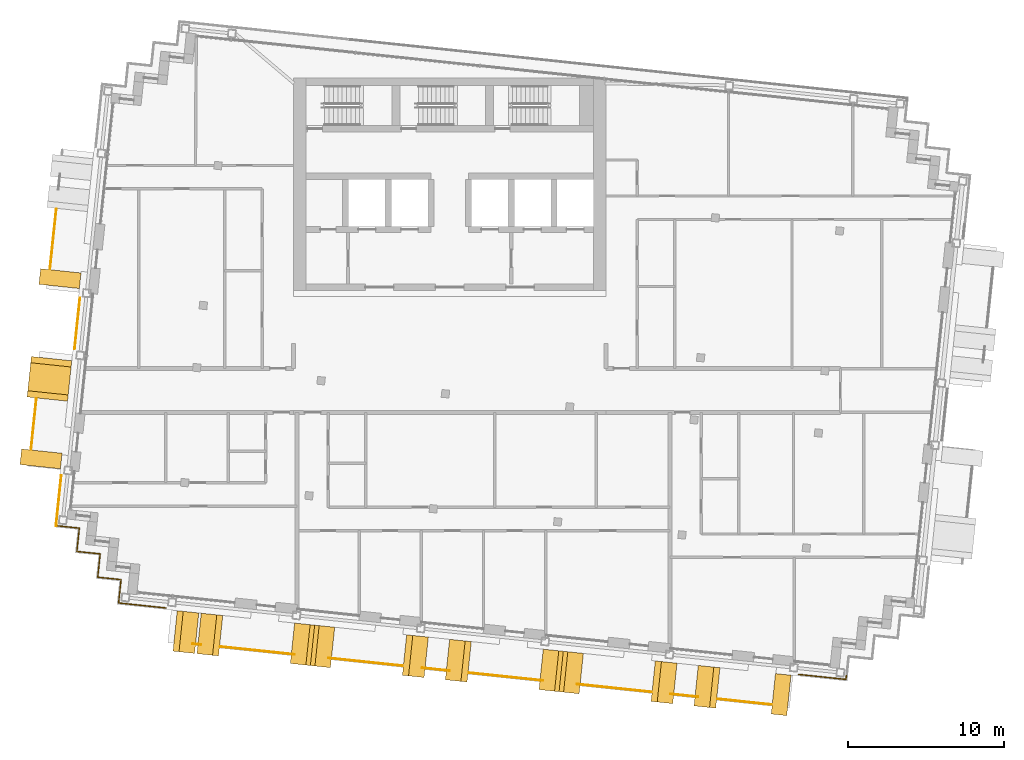
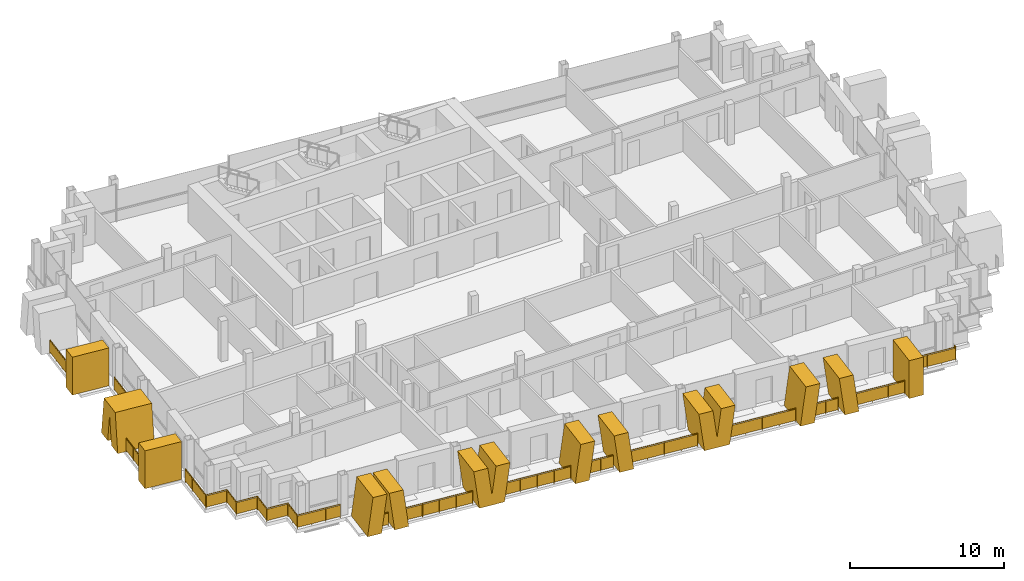
# One storey, part 13 of 16: 14 railings, 12 shading devices.
"""IFC4 building model written with IfcOpenShell, lengths in metres."""

from ifc_helpers import new_model, si_unit, direction, frame, origin, origin_2d, place, context, subcontext, project, spatial, polyline, rectangle, circle, outline, extrude, material, layer, layer_set, type_object, element, save


model = new_model("IFC4")

# Units and contexts
model_context = context("Model", 3, precision=1e-05, world=origin(), true_north=direction((0.0, 1.0)))
body_context = subcontext(model_context, "Body", "Model", "MODEL_VIEW")
ifc_project = project(units=[si_unit("LENGTHUNIT", "METRE"), si_unit("AREAUNIT", "SQUARE_METRE"), si_unit("VOLUMEUNIT", "CUBIC_METRE"), si_unit("PLANEANGLEUNIT", "RADIAN"), si_unit("MASSUNIT", "GRAM", prefix="KILO")], contexts=[model_context])

# Site, building, storey
site_placement = place(None, origin())
site = spatial("IfcSite", under=ifc_project, at=site_placement, CompositionType="ELEMENT")
building_placement = place(site_placement, origin())
building = spatial("IfcBuilding", under=site, at=building_placement, Name="Vidyagriha Tower", CompositionType="ELEMENT")
storey_placement = place(building_placement, frame((0.0, 0.0, 256.300048828125)))
storey = spatial("IfcBuildingStorey", under=building, at=storey_placement, Name="L66", CompositionType="ELEMENT", Elevation=256.300048828125)

# Railings
ifc_material_1 = material(Name="Steel ASTM A500 Grade C black painted", Category="steel")
railing_type_1 = type_object("IfcRailingType", Name="Balcony guard 1100", PredefinedType="BALUSTRADE", material=ifc_material_1)
railing_1_placement = place(storey_placement, frame((-25.178955078125, 11.606201171875, 0.0)))
element("IfcRailing", 1, at=railing_1_placement, inside=storey, type_object=railing_type_1, Name="Balcony guard L66 R14.1-3", PredefinedType="BALUSTRADE", context=body_context, shape_type="SweptSolid", body=[
    extrude(circle(Radius=0.02490234375, at=origin_2d()), frame((0.0, 0.0, 1.0751953125), z_axis=(-0.104506528251, -0.994524200587, 0.0), x_axis=(0.994524200587, -0.104506528251, 0.0)), (0.0, 0.0, 1.0), 3.849853515625),
    extrude(circle(Radius=0.02001953125, at=origin_2d()), origin(), (0.0, 0.0, 1.0), 1.050048828125),
    extrude(circle(Radius=0.02001953125, at=origin_2d()), frame((-0.1005859375, -0.957275390625, 0.0)), (0.0, 0.0, 1.0), 1.050048828125),
    extrude(circle(Radius=0.02001953125, at=origin_2d()), frame((-0.201171875, -1.91455078125, 0.0)), (0.0, 0.0, 1.0), 1.050048828125),
    extrude(circle(Radius=0.02001953125, at=origin_2d()), frame((-0.3017578125, -2.87158203125, 0.0)), (0.0, 0.0, 1.0), 1.050048828125),
    extrude(circle(Radius=0.02001953125, at=origin_2d()), frame((-0.40234375, -3.828857421875, 0.0)), (0.0, 0.0, 1.0), 1.050048828125),
    extrude(rectangle(XDim=0.010009765625, YDim=0.900146484375, at=origin_2d()), frame((0.0, 0.0, 0.550048828125), z_axis=(-0.104506528251, -0.994524200587, 0.0), x_axis=(0.994524200587, -0.104506528251, 0.0)), (0.0, 0.0, 1.0), 3.849853515625),
])
railing_2_placement = place(storey_placement, frame((-26.4541015625, -0.52685546875, 0.0)))
element("IfcRailing", 2, at=railing_2_placement, inside=storey, type_object=railing_type_1, Name="Balcony guard L66 R14.2-1", PredefinedType="BALUSTRADE", context=body_context, shape_type="SweptSolid", body=[
    extrude(circle(Radius=0.02490234375, at=origin_2d()), frame((0.0, 0.0, 1.0751953125), z_axis=(-0.104567472619, -0.994517794547, 0.0), x_axis=(0.994517794547, -0.104567472619, 0.0)), (0.0, 0.0, 1.0), 3.25),
    extrude(circle(Radius=0.02001953125, at=origin_2d()), origin(), (0.0, 0.0, 1.0), 1.050048828125),
    extrude(circle(Radius=0.02001953125, at=origin_2d()), frame((-0.11328125, -1.077392578125, 0.0)), (0.0, 0.0, 1.0), 1.050048828125),
    extrude(circle(Radius=0.02001953125, at=origin_2d()), frame((-0.2265625, -2.15478515625, 0.0)), (0.0, 0.0, 1.0), 1.050048828125),
    extrude(circle(Radius=0.02001953125, at=origin_2d()), frame((-0.33984375, -3.232177734375, 0.0)), (0.0, 0.0, 1.0), 1.050048828125),
    extrude(rectangle(XDim=0.010009765625, YDim=0.900146484375, at=origin_2d()), frame((0.0, 0.0, 0.550048828125), z_axis=(-0.104567472619, -0.994517794547, 0.0), x_axis=(0.994517794547, -0.104567472619, 0.0)), (0.0, 0.0, 1.0), 3.25),
])
railing_3_placement = place(storey_placement, frame((-16.454833984375, -16.2080078125, 0.0)))
element("IfcRailing", 3, at=railing_3_placement, inside=storey, type_object=railing_type_1, Name="Balcony guard L66 R21.1-1", PredefinedType="BALUSTRADE", context=body_context, shape_type="SweptSolid", body=[
    extrude(circle(Radius=0.02490234375, at=origin_2d()), frame((0.0, 0.0, 1.0751953125), z_axis=(0.994530525587, -0.104446319592, 0.0), x_axis=(0.104446319592, 0.994530525587, 0.0)), (0.0, 0.0, 1.0), 0.532958984375),
    extrude(circle(Radius=0.02001953125, at=origin_2d()), origin(), (0.0, 0.0, 1.0), 1.050048828125),
    extrude(circle(Radius=0.02001953125, at=origin_2d()), frame((0.530029296875, -0.0556640625, 0.0)), (0.0, 0.0, 1.0), 1.050048828125),
    extrude(rectangle(XDim=0.010009765625, YDim=0.900146484375, at=origin_2d()), frame((0.0, 0.0, 0.550048828125), z_axis=(0.994530525587, -0.104446319592, 0.0), x_axis=(0.104446319592, 0.994530525587, 0.0)), (0.0, 0.0, 1.0), 0.532958984375),
])
railing_4_placement = place(storey_placement, frame((-14.683837890625, -16.394287109375, 0.0)))
element("IfcRailing", 4, at=railing_4_placement, inside=storey, type_object=railing_type_1, Name="Balcony guard L66 R21.1-2", PredefinedType="BALUSTRADE", context=body_context, shape_type="SweptSolid", body=[
    extrude(circle(Radius=0.02490234375, at=origin_2d()), frame((0.0, 0.0, 1.0751953125), z_axis=(0.994526491616, -0.10448472364, 0.0), x_axis=(0.10448472364, 0.994526491616, 0.0)), (0.0, 0.0, 1.0), 4.764404296875),
    extrude(circle(Radius=0.02001953125, at=origin_2d()), origin(), (0.0, 0.0, 1.0), 1.050048828125),
    extrude(circle(Radius=0.02001953125, at=origin_2d()), frame((1.1845703125, -0.12451171875, 0.0)), (0.0, 0.0, 1.0), 1.050048828125),
    extrude(circle(Radius=0.02001953125, at=origin_2d()), frame((2.369140625, -0.2490234375, 0.0)), (0.0, 0.0, 1.0), 1.050048828125),
    extrude(circle(Radius=0.02001953125, at=origin_2d()), frame((3.5537109375, -0.373291015625, 0.0)), (0.0, 0.0, 1.0), 1.050048828125),
    extrude(circle(Radius=0.02001953125, at=origin_2d()), frame((4.73828125, -0.497802734375, 0.0)), (0.0, 0.0, 1.0), 1.050048828125),
    extrude(rectangle(XDim=0.010009765625, YDim=0.900146484375, at=origin_2d()), frame((0.0, 0.0, 0.550048828125), z_axis=(0.994526491616, -0.10448472364, 0.0), x_axis=(0.10448472364, 0.994526491616, 0.0)), (0.0, 0.0, 1.0), 4.764404296875),
])
railing_5_placement = place(storey_placement, frame((-7.764892578125, -17.121337890625, 0.0)))
element("IfcRailing", 5, at=railing_5_placement, inside=storey, type_object=railing_type_1, Name="Balcony guard L66 R21.1-3", PredefinedType="BALUSTRADE", context=body_context, shape_type="SweptSolid", body=[
    extrude(circle(Radius=0.02490234375, at=origin_2d()), frame((0.0, 0.0, 1.0751953125), z_axis=(0.994521134852, -0.10453569884, 0.0), x_axis=(0.10453569884, 0.994521134852, 0.0)), (0.0, 0.0, 1.0), 4.773681640625),
    extrude(circle(Radius=0.02001953125, at=origin_2d()), origin(), (0.0, 0.0, 1.0), 1.050048828125),
    extrude(circle(Radius=0.02001953125, at=origin_2d()), frame((1.18701171875, -0.124755859375, 0.0)), (0.0, 0.0, 1.0), 1.050048828125),
    extrude(circle(Radius=0.02001953125, at=origin_2d()), frame((2.373779296875, -0.24951171875, 0.0)), (0.0, 0.0, 1.0), 1.050048828125),
    extrude(circle(Radius=0.02001953125, at=origin_2d()), frame((3.560546875, -0.374267578125, 0.0)), (0.0, 0.0, 1.0), 1.050048828125),
    extrude(circle(Radius=0.02001953125, at=origin_2d()), frame((4.74755859375, -0.4990234375, 0.0)), (0.0, 0.0, 1.0), 1.050048828125),
    extrude(rectangle(XDim=0.010009765625, YDim=0.900146484375, at=origin_2d()), frame((0.0, 0.0, 0.550048828125), z_axis=(0.994521134852, -0.10453569884, 0.0), x_axis=(0.10453569884, 0.994521134852, 0.0)), (0.0, 0.0, 1.0), 4.773681640625),
])
railing_6_placement = place(storey_placement, frame((-1.77294921875, -17.751220703125, 0.0)))
element("IfcRailing", 6, at=railing_6_placement, inside=storey, type_object=railing_type_1, Name="Balcony guard L66 R21.1-4", PredefinedType="BALUSTRADE", context=body_context, shape_type="SweptSolid", body=[
    extrude(circle(Radius=0.02490234375, at=origin_2d()), frame((0.0, 0.0, 1.0751953125), z_axis=(0.994526749001, -0.104482273715, 0.0), x_axis=(0.104482273715, 0.994526749001, 0.0)), (0.0, 0.0, 1.0), 1.757080078125),
    extrude(circle(Radius=0.02001953125, at=origin_2d()), origin(), (0.0, 0.0, 1.0), 1.050048828125),
    extrude(circle(Radius=0.02001953125, at=origin_2d()), frame((0.873779296875, -0.091796875, 0.0)), (0.0, 0.0, 1.0), 1.050048828125),
    extrude(circle(Radius=0.02001953125, at=origin_2d()), frame((1.74755859375, -0.18359375, 0.0)), (0.0, 0.0, 1.0), 1.050048828125),
    extrude(rectangle(XDim=0.010009765625, YDim=0.900146484375, at=origin_2d()), frame((0.0, 0.0, 0.550048828125), z_axis=(0.994526749001, -0.104482273715, 0.0), x_axis=(0.104482273715, 0.994526749001, 0.0)), (0.0, 0.0, 1.0), 1.757080078125),
])
railing_7_placement = place(storey_placement, frame((1.21923828125, -18.065673828125, 0.0)))
element("IfcRailing", 7, at=railing_7_placement, inside=storey, type_object=railing_type_1, Name="Balcony guard L66 R21.1-5", PredefinedType="BALUSTRADE", context=body_context, shape_type="SweptSolid", body=[
    extrude(circle(Radius=0.02490234375, at=origin_2d()), frame((0.0, 0.0, 1.0751953125), z_axis=(0.994521134852, -0.10453569884, 0.0), x_axis=(0.10453569884, 0.994521134852, 0.0)), (0.0, 0.0, 1.0), 4.773681640625),
    extrude(circle(Radius=0.02001953125, at=origin_2d()), origin(), (0.0, 0.0, 1.0), 1.050048828125),
    extrude(circle(Radius=0.02001953125, at=origin_2d()), frame((1.18701171875, -0.124755859375, 0.0)), (0.0, 0.0, 1.0), 1.050048828125),
    extrude(circle(Radius=0.02001953125, at=origin_2d()), frame((2.373779296875, -0.24951171875, 0.0)), (0.0, 0.0, 1.0), 1.050048828125),
    extrude(circle(Radius=0.02001953125, at=origin_2d()), frame((3.560546875, -0.374267578125, 0.0)), (0.0, 0.0, 1.0), 1.050048828125),
    extrude(circle(Radius=0.02001953125, at=origin_2d()), frame((4.74755859375, -0.4990234375, 0.0)), (0.0, 0.0, 1.0), 1.050048828125),
    extrude(rectangle(XDim=0.010009765625, YDim=0.900146484375, at=origin_2d()), frame((0.0, 0.0, 0.550048828125), z_axis=(0.994521134852, -0.10453569884, 0.0), x_axis=(0.10453569884, 0.994521134852, 0.0)), (0.0, 0.0, 1.0), 4.773681640625),
])
railing_8_placement = place(storey_placement, frame((8.1474609375, -18.7939453125, 0.0)))
element("IfcRailing", 8, at=railing_8_placement, inside=storey, type_object=railing_type_1, Name="Balcony guard L66 R21.1-6", PredefinedType="BALUSTRADE", context=body_context, shape_type="SweptSolid", body=[
    extrude(circle(Radius=0.02490234375, at=origin_2d()), frame((0.0, 0.0, 1.0751953125), z_axis=(0.994526450542, -0.104485114597, 0.0), x_axis=(0.104485114597, 0.994526450542, 0.0)), (0.0, 0.0, 1.0), 4.773681640625),
    extrude(circle(Radius=0.02001953125, at=origin_2d()), origin(), (0.0, 0.0, 1.0), 1.050048828125),
    extrude(circle(Radius=0.02001953125, at=origin_2d()), frame((1.18701171875, -0.124755859375, 0.0)), (0.0, 0.0, 1.0), 1.050048828125),
    extrude(circle(Radius=0.02001953125, at=origin_2d()), frame((2.373779296875, -0.24951171875, 0.0)), (0.0, 0.0, 1.0), 1.050048828125),
    extrude(circle(Radius=0.02001953125, at=origin_2d()), frame((3.560546875, -0.3740234375, 0.0)), (0.0, 0.0, 1.0), 1.050048828125),
    extrude(circle(Radius=0.02001953125, at=origin_2d()), frame((4.74755859375, -0.498779296875, 0.0)), (0.0, 0.0, 1.0), 1.050048828125),
    extrude(rectangle(XDim=0.010009765625, YDim=0.900146484375, at=origin_2d()), frame((0.0, 0.0, 0.550048828125), z_axis=(0.994526450542, -0.104485114597, 0.0), x_axis=(0.104485114597, 0.994526450542, 0.0)), (0.0, 0.0, 1.0), 4.773681640625),
])
railing_9_placement = place(storey_placement, frame((14.139404296875, -19.423583984375, 0.0)))
element("IfcRailing", 9, at=railing_9_placement, inside=storey, type_object=railing_type_1, Name="Balcony guard L66 R21.1-7", PredefinedType="BALUSTRADE", context=body_context, shape_type="SweptSolid", body=[
    extrude(circle(Radius=0.02490234375, at=origin_2d()), frame((0.0, 0.0, 1.0751953125), z_axis=(0.994512302488, -0.104619693179, 0.0), x_axis=(0.104619693179, 0.994512302488, 0.0)), (0.0, 0.0, 1.0), 1.757080078125),
    extrude(circle(Radius=0.02001953125, at=origin_2d()), origin(), (0.0, 0.0, 1.0), 1.050048828125),
    extrude(circle(Radius=0.02001953125, at=origin_2d()), frame((0.873779296875, -0.091796875, 0.0)), (0.0, 0.0, 1.0), 1.050048828125),
    extrude(circle(Radius=0.02001953125, at=origin_2d()), frame((1.74755859375, -0.183837890625, 0.0)), (0.0, 0.0, 1.0), 1.050048828125),
    extrude(rectangle(XDim=0.010009765625, YDim=0.900146484375, at=origin_2d()), frame((0.0, 0.0, 0.550048828125), z_axis=(0.994512302488, -0.104619693179, 0.0), x_axis=(0.104619693179, 0.994512302488, 0.0)), (0.0, 0.0, 1.0), 1.757080078125),
])
railing_10_placement = place(storey_placement, frame((17.131591796875, -19.738037109375, 0.0)))
element("IfcRailing", 10, at=railing_10_placement, inside=storey, type_object=railing_type_1, Name="Balcony guard L66 R21.1-8", PredefinedType="BALUSTRADE", context=body_context, shape_type="SweptSolid", body=[
    extrude(circle(Radius=0.02490234375, at=origin_2d()), frame((0.0, 0.0, 1.0751953125), z_axis=(0.994519323145, -0.104552933441, 0.0), x_axis=(0.104552933441, 0.994519323145, 0.0)), (0.0, 0.0, 1.0), 3.469970703125),
    extrude(circle(Radius=0.02001953125, at=origin_2d()), origin(), (0.0, 0.0, 1.0), 1.050048828125),
    extrude(circle(Radius=0.02001953125, at=origin_2d()), frame((1.150390625, -0.120849609375, 0.0)), (0.0, 0.0, 1.0), 1.050048828125),
    extrude(circle(Radius=0.02001953125, at=origin_2d()), frame((2.300537109375, -0.241943359375, 0.0)), (0.0, 0.0, 1.0), 1.050048828125),
    extrude(circle(Radius=0.02001953125, at=origin_2d()), frame((3.450927734375, -0.36279296875, 0.0)), (0.0, 0.0, 1.0), 1.050048828125),
    extrude(rectangle(XDim=0.010009765625, YDim=0.900146484375, at=origin_2d()), frame((0.0, 0.0, 0.550048828125), z_axis=(0.994519323145, -0.104552933441, 0.0), x_axis=(0.104552933441, 0.994519323145, 0.0)), (0.0, 0.0, 1.0), 3.469970703125),
])

# Shading devices
ifc_material_2 = material(Name="Precast concrete C40/50 with buff brick facing", Category="concrete")
ifc_layer_1 = layer(ifc_material_2, 1.0)
ifc_layer_set_1 = layer_set([ifc_layer_1], Name="Precast concrete C40/50 with buff brick facing")
shading_device_type_1 = type_object("IfcShadingDeviceType", Name="Brick-faced blade fin arm leaning 8 degrees", PredefinedType="USERDEFINED", material=ifc_layer_set_1)
shading_device_1_placement = place(storey_placement, frame((-17.572998046875, -15.38671875, 0.0), z_axis=(0.0, 0.0, 1.0), x_axis=(0.99452763387, -0.104473850644, 0.0)))
element("IfcShadingDevice", 11, at=shading_device_1_placement, inside=storey, type_object=shading_device_type_1, Name="Leaning blade fin L66 R21.230a", ObjectType="BLADE FIN", PredefinedType="USERDEFINED", context=body_context, shape_type="SweptSolid", body=[
    extrude(outline(polyline([(0.0, 0.0), (1.0, 0.0), (1.3857421875, 3.0), (0.3857421875, 3.0), (0.0, 0.0)])), frame((0.0, 1.300048828125, 0.0), z_axis=(0.0, -1.0, 0.0), x_axis=(1.0, 0.0, 0.0)), (0.0, 0.0, 1.0), 2.60009765625),
])
shading_device_2_placement = place(storey_placement, frame((-16.03857421875, -15.548095703125, 0.0), z_axis=(0.0, 0.0, 1.0), x_axis=(0.99452763387, -0.104473850644, 0.0)))
element("IfcShadingDevice", 12, at=shading_device_2_placement, inside=storey, type_object=shading_device_type_1, Name="Leaning blade fin L66 R21.230b", ObjectType="BLADE FIN", PredefinedType="USERDEFINED", context=body_context, shape_type="SweptSolid", body=[
    extrude(outline(polyline([(0.3857421875, 0.0), (1.3857421875, 0.0), (1.0, 3.0), (0.0, 3.0), (0.3857421875, 0.0)])), frame((0.0, 1.300048828125, 0.0), z_axis=(0.0, -1.0, 0.0), x_axis=(1.0, 0.0, 0.0)), (0.0, 0.0, 1.0), 2.60009765625),
])
shading_device_3_placement = place(storey_placement, frame((-2.89453125, -16.929443359375, 0.0), z_axis=(0.0, 0.0, 1.0), x_axis=(0.9945274857, -0.104475261123, 0.0)))
element("IfcShadingDevice", 13, at=shading_device_3_placement, inside=storey, type_object=shading_device_type_1, Name="Leaning blade fin L66 R21.1830a", ObjectType="BLADE FIN", PredefinedType="USERDEFINED", context=body_context, shape_type="SweptSolid", body=[
    extrude(outline(polyline([(0.0, 0.0), (1.0, 0.0), (1.39501953125, 3.0), (0.39501953125, 3.0), (0.0, 0.0)])), frame((0.0, 1.300048828125, 0.0), z_axis=(0.0, -1.0, 0.0), x_axis=(1.0, 0.0, 0.0)), (0.0, 0.0, 1.0), 2.60009765625),
])
shading_device_4_placement = place(storey_placement, frame((-0.144775390625, -17.218505859375, 0.0), z_axis=(0.0, 0.0, 1.0), x_axis=(0.9945274857, -0.104475261123, 0.0)))
element("IfcShadingDevice", 14, at=shading_device_4_placement, inside=storey, type_object=shading_device_type_1, Name="Leaning blade fin L66 R21.1830b", ObjectType="BLADE FIN", PredefinedType="USERDEFINED", context=body_context, shape_type="SweptSolid", body=[
    extrude(outline(polyline([(0.39501953125, 0.0), (1.39501953125, 0.0), (1.0, 3.0), (0.0, 3.0), (0.39501953125, 0.0)])), frame((0.0, 1.300048828125, 0.0), z_axis=(0.0, -1.0, 0.0), x_axis=(1.0, 0.0, 0.0)), (0.0, 0.0, 1.0), 2.60009765625),
])
shading_device_5_placement = place(storey_placement, frame((13.017822265625, -18.601806640625, 0.0), z_axis=(0.0, 0.0, 1.0), x_axis=(0.99450928781, -0.104648346667, 0.0)))
element("IfcShadingDevice", 15, at=shading_device_5_placement, inside=storey, type_object=shading_device_type_1, Name="Leaning blade fin L66 R21.3430a", ObjectType="BLADE FIN", PredefinedType="USERDEFINED", context=body_context, shape_type="SweptSolid", body=[
    extrude(outline(polyline([(0.0, 0.0), (1.0, 0.0), (1.39501953125, 3.0), (0.39501953125, 3.0), (0.0, 0.0)])), frame((0.0, 1.300048828125, 0.0), z_axis=(0.0, -1.0, 0.0), x_axis=(1.0, 0.0, 0.0)), (0.0, 0.0, 1.0), 2.60009765625),
])
shading_device_6_placement = place(storey_placement, frame((15.767578125, -18.890869140625, 0.0), z_axis=(0.0, 0.0, 1.0), x_axis=(0.9945274857, -0.104475261123, 0.0)))
element("IfcShadingDevice", 16, at=shading_device_6_placement, inside=storey, type_object=shading_device_type_1, Name="Leaning blade fin L66 R21.3430b", ObjectType="BLADE FIN", PredefinedType="USERDEFINED", context=body_context, shape_type="SweptSolid", body=[
    extrude(outline(polyline([(0.39501953125, 0.0), (1.39501953125, 0.0), (1.0, 3.0), (0.0, 3.0), (0.39501953125, 0.0)])), frame((0.0, 1.300048828125, 0.0), z_axis=(0.0, -1.0, 0.0), x_axis=(1.0, 0.0, 0.0)), (0.0, 0.0, 1.0), 2.60009765625),
])
ifc_material_3 = material(Name="Precast concrete C40/50 with buff brick facing", Category="concrete")
ifc_layer_2 = layer(ifc_material_3, 1.0)
ifc_layer_set_2 = layer_set([ifc_layer_2], Name="Precast concrete C40/50 with buff brick facing")
shading_device_type_2 = type_object("IfcShadingDeviceType", Name="Brick-faced blade fin forking 8 degrees", PredefinedType="USERDEFINED", material=ifc_layer_set_2)
shading_device_7_placement = place(storey_placement, frame((-25.48095703125, 2.035400390625, 0.0), z_axis=(0.0, 0.0, 1.0), x_axis=(-0.104513699976, -0.994523446942, 0.0)))
element("IfcShadingDevice", 17, at=shading_device_7_placement, inside=storey, type_object=shading_device_type_2, Name="Forked blade fin L66 R14.1630a", ObjectType="BLADE FIN", PredefinedType="USERDEFINED", context=body_context, shape_type="SweptSolid", body=[
    extrude(outline(polyline([(1.0, 0.0), (1.300048828125, 2.25), (1.60009765625, 0.0), (2.60009765625, 0.0), (2.199951171875, 3.0), (0.39990234375, 3.0), (0.0, 0.0), (1.0, 0.0)])), frame((0.0, 1.300048828125, 0.0), z_axis=(0.0, -1.0, 0.0), x_axis=(1.0, 0.0, 0.0)), (0.0, 0.0, 1.0), 2.60009765625),
])
for number, where, z_axis, x_axis, name in (
    (18, (-10.06494140625, -16.17578125, 0.0), (0.0, 0.0, 1.0), (0.994517373048, -0.104571481322, 0.0), "Forked blade fin L66 R21.1030a"),
    (19, (5.847412109375, -17.84814453125, 0.0), (0.0, 0.0, 1.0), (0.994517373048, -0.104571481322, 0.0), "Forked blade fin L66 R21.2630a"),
):
    element("IfcShadingDevice", number, at=place(storey_placement, frame(where, z_axis=z_axis, x_axis=x_axis)), inside=storey, type_object=shading_device_type_2, Name=name, ObjectType="BLADE FIN", PredefinedType="USERDEFINED", context=body_context, shape_type="SweptSolid", body=[
        extrude(outline(polyline([(0.39501953125, 0.0), (2.18505859375, 0.0), (2.580078125, 3.0), (1.580078125, 3.0), (1.2900390625, 0.79736328125), (1.0, 3.0), (0.0, 3.0), (0.39501953125, 0.0)])), frame((0.0, 1.300048828125, 0.0), z_axis=(0.0, -1.0, 0.0), x_axis=(1.0, 0.0, 0.0)), (0.0, 0.0, 1.0), 2.60009765625),
    ])
ifc_material_4 = material(Name="Precast concrete C40/50 with buff brick facing", Category="concrete")
ifc_layer_3 = layer(ifc_material_4, 1.0)
ifc_layer_set_3 = layer_set([ifc_layer_3], Name="Precast concrete C40/50 with buff brick facing")
shading_device_type_3 = type_object("IfcShadingDeviceType", Name="Brick-faced blade fin stem 1000", PredefinedType="USERDEFINED", material=ifc_layer_set_3)
for number, where, z_axis, x_axis, name in (
    (20, (-24.890380859375, 7.654541015625, 0.0), (0.0, 0.0, 1.0), (-0.104481464157, -0.994526834051, 0.0), "Stem blade fin L66 R14.1230a"),
    (21, (-26.102783203125, -3.882080078125, 0.0), (0.0, 0.0, 1.0), (-0.104748335039, -0.99449876134, 0.0), "Stem blade fin L66 R14.2370a"),
    (22, (20.70556640625, -19.409912109375, 0.0), (0.0, 0.0, 1.0), (0.994524168223, -0.104506836238, 0.0), "Stem blade fin L66 R21.4230a"),
):
    element("IfcShadingDevice", number, at=place(storey_placement, frame(where, z_axis=z_axis, x_axis=x_axis)), inside=storey, type_object=shading_device_type_3, Name=name, ObjectType="BLADE FIN", PredefinedType="USERDEFINED", context=body_context, shape_type="SweptSolid", body=[
        extrude(outline(polyline([(0.0, 0.0), (1.0, 0.0), (1.0, 3.0), (0.0, 3.0), (0.0, 0.0)])), frame((0.0, 1.300048828125, 0.0), z_axis=(0.0, -1.0, 0.0), x_axis=(1.0, 0.0, 0.0)), (0.0, 0.0, 1.0), 2.60009765625),
    ])

# Railings
ifc_material_5 = material(Name="Steel ASTM A500 Grade C black painted", Category="steel")
railing_type_2 = type_object("IfcRailingType", Name="Gallery guard 1100", PredefinedType="GUARDRAIL", material=ifc_material_5)
railing_11_placement = place(storey_placement, frame((-18.168212890625, -13.91650390625, 0.0)))
element("IfcRailing", 23, at=railing_11_placement, inside=storey, type_object=railing_type_2, Name="Gallery guard L66 1", PredefinedType="GUARDRAIL", context=body_context, shape_type="SweptSolid", body=[
    extrude(circle(Radius=0.02490234375, at=origin_2d()), frame((0.0, 0.0, 1.0751953125), z_axis=(-0.994518646122, 0.104559373163, 0.0), x_axis=(-0.104559373163, -0.994518646122, 0.0)), (0.0, 0.0, 1.0), 3.0400390625),
    extrude(circle(Radius=0.02490234375, at=origin_2d()), frame((-3.0234375, 0.31787109375, 1.0751953125), z_axis=(0.104481464157, 0.994526834051, 0.0), x_axis=(-0.994526834051, 0.104481464157, 0.0)), (0.0, 0.0, 1.0), 1.500244140625),
    extrude(circle(Radius=0.02490234375, at=origin_2d()), frame((-2.86669921875, 1.809814453125, 1.0751953125), z_axis=(-0.994525057048, 0.104498377516, 0.0), x_axis=(-0.104498377516, -0.994525057048, 0.0)), (0.0, 0.0, 1.0), 1.5),
    extrude(circle(Radius=0.02490234375, at=origin_2d()), frame((-4.3583984375, 1.966552734375, 1.0751953125), z_axis=(0.104498377516, 0.994525057048, 0.0), x_axis=(-0.994525057048, 0.104498377516, 0.0)), (0.0, 0.0, 1.0), 1.5),
    extrude(circle(Radius=0.02490234375, at=origin_2d()), frame((-4.20166015625, 3.458251953125, 1.0751953125), z_axis=(-0.994525057048, 0.104498377516, 0.0), x_axis=(-0.104498377516, -0.994525057048, 0.0)), (0.0, 0.0, 1.0), 1.5),
    extrude(circle(Radius=0.02490234375, at=origin_2d()), frame((-5.693359375, 3.614990234375, 1.0751953125), z_axis=(0.104498377516, 0.994525057048, 0.0), x_axis=(-0.994525057048, 0.104498377516, 0.0)), (0.0, 0.0, 1.0), 1.5),
    extrude(circle(Radius=0.02490234375, at=origin_2d()), frame((-5.53662109375, 5.106689453125, 1.0751953125), z_axis=(-0.994505452921, 0.104684784518, 0.0), x_axis=(-0.104684784518, -0.994505452921, 0.0)), (0.0, 0.0, 1.0), 1.4599609375),
    extrude(circle(Radius=0.02001953125, at=origin_2d()), origin(), (0.0, 0.0, 1.0), 1.050048828125),
    extrude(circle(Radius=0.02001953125, at=origin_2d()), frame((-1.0078125, 0.10595703125, 0.0)), (0.0, 0.0, 1.0), 1.050048828125),
    extrude(circle(Radius=0.02001953125, at=origin_2d()), frame((-2.015625, 0.2119140625, 0.0)), (0.0, 0.0, 1.0), 1.050048828125),
    extrude(circle(Radius=0.02001953125, at=origin_2d()), frame((-3.0234375, 0.31787109375, 0.0)), (0.0, 0.0, 1.0), 1.050048828125),
    extrude(circle(Radius=0.02001953125, at=origin_2d()), frame((-2.945068359375, 1.06396484375, 0.0)), (0.0, 0.0, 1.0), 1.050048828125),
    extrude(circle(Radius=0.02001953125, at=origin_2d()), frame((-2.86669921875, 1.809814453125, 0.0)), (0.0, 0.0, 1.0), 1.050048828125),
    extrude(circle(Radius=0.02001953125, at=origin_2d()), frame((-4.3583984375, 1.966552734375, 0.0)), (0.0, 0.0, 1.0), 1.050048828125),
    extrude(circle(Radius=0.02001953125, at=origin_2d()), frame((-4.20166015625, 3.458251953125, 0.0)), (0.0, 0.0, 1.0), 1.050048828125),
    extrude(circle(Radius=0.02001953125, at=origin_2d()), frame((-5.693359375, 3.614990234375, 0.0)), (0.0, 0.0, 1.0), 1.050048828125),
    extrude(circle(Radius=0.02001953125, at=origin_2d()), frame((-5.53662109375, 5.106689453125, 0.0)), (0.0, 0.0, 1.0), 1.050048828125),
    extrude(circle(Radius=0.02001953125, at=origin_2d()), frame((-6.988525390625, 5.259521484375, 0.0)), (0.0, 0.0, 1.0), 1.050048828125),
    extrude(rectangle(XDim=0.010009765625, YDim=0.900146484375, at=origin_2d()), frame((0.0, 0.0, 0.550048828125), z_axis=(-0.994518646122, 0.104559373163, 0.0), x_axis=(-0.104559373163, -0.994518646122, 0.0)), (0.0, 0.0, 1.0), 3.0400390625),
    extrude(rectangle(XDim=0.010009765625, YDim=0.900146484375, at=origin_2d()), frame((-3.0234375, 0.31787109375, 0.550048828125), z_axis=(0.104481464157, 0.994526834051, 0.0), x_axis=(-0.994526834051, 0.104481464157, 0.0)), (0.0, 0.0, 1.0), 1.500244140625),
    extrude(rectangle(XDim=0.010009765625, YDim=0.900146484375, at=origin_2d()), frame((-2.86669921875, 1.809814453125, 0.550048828125), z_axis=(-0.994525057048, 0.104498377516, 0.0), x_axis=(-0.104498377516, -0.994525057048, 0.0)), (0.0, 0.0, 1.0), 1.5),
    extrude(rectangle(XDim=0.010009765625, YDim=0.900146484375, at=origin_2d()), frame((-4.3583984375, 1.966552734375, 0.550048828125), z_axis=(0.104498377516, 0.994525057048, 0.0), x_axis=(-0.994525057048, 0.104498377516, 0.0)), (0.0, 0.0, 1.0), 1.5),
    extrude(rectangle(XDim=0.010009765625, YDim=0.900146484375, at=origin_2d()), frame((-4.20166015625, 3.458251953125, 0.550048828125), z_axis=(-0.994525057048, 0.104498377516, 0.0), x_axis=(-0.104498377516, -0.994525057048, 0.0)), (0.0, 0.0, 1.0), 1.5),
    extrude(rectangle(XDim=0.010009765625, YDim=0.900146484375, at=origin_2d()), frame((-5.693359375, 3.614990234375, 0.550048828125), z_axis=(0.104498377516, 0.994525057048, 0.0), x_axis=(-0.994525057048, 0.104498377516, 0.0)), (0.0, 0.0, 1.0), 1.5),
    extrude(rectangle(XDim=0.010009765625, YDim=0.900146484375, at=origin_2d()), frame((-5.53662109375, 5.106689453125, 0.550048828125), z_axis=(-0.994505452921, 0.104684784518, 0.0), x_axis=(-0.104684784518, -0.994505452921, 0.0)), (0.0, 0.0, 1.0), 1.4599609375),
])
railing_12_placement = place(storey_placement, frame((-25.15673828125, -8.656982421875, 0.0)))
element("IfcRailing", 24, at=railing_12_placement, inside=storey, type_object=railing_type_2, Name="Gallery guard L66 2", PredefinedType="GUARDRAIL", context=body_context, shape_type="SweptSolid", body=[
    extrude(circle(Radius=0.02490234375, at=origin_2d()), frame((0.0, 0.0, 1.0751953125), z_axis=(-0.99460530117, 0.103731841226, 0.0), x_axis=(-0.103731841226, -0.99460530117, 0.0)), (0.0, 0.0, 1.0), 0.0400390625),
    extrude(circle(Radius=0.02490234375, at=origin_2d()), frame((-0.039794921875, 0.004150390625, 1.0751953125), z_axis=(0.104516113735, 0.994523193279, 0.0), x_axis=(-0.994523193279, 0.104516113735, 0.0)), (0.0, 0.0, 1.0), 3.239990234375),
    extrude(circle(Radius=0.02001953125, at=origin_2d()), origin(), (0.0, 0.0, 1.0), 1.050048828125),
    extrude(circle(Radius=0.02001953125, at=origin_2d()), frame((-0.039794921875, 0.004150390625, 0.0)), (0.0, 0.0, 1.0), 1.050048828125),
    extrude(circle(Radius=0.02001953125, at=origin_2d()), frame((0.072998046875, 1.078125, 0.0)), (0.0, 0.0, 1.0), 1.050048828125),
    extrude(circle(Radius=0.02001953125, at=origin_2d()), frame((0.18603515625, 2.15234375, 0.0)), (0.0, 0.0, 1.0), 1.050048828125),
    extrude(circle(Radius=0.02001953125, at=origin_2d()), frame((0.298828125, 3.226318359375, 0.0)), (0.0, 0.0, 1.0), 1.050048828125),
    extrude(rectangle(XDim=0.010009765625, YDim=0.900146484375, at=origin_2d()), frame((0.0, 0.0, 0.550048828125), z_axis=(-0.99460530117, 0.103731841226, 0.0), x_axis=(-0.103731841226, -0.99460530117, 0.0)), (0.0, 0.0, 1.0), 0.0400390625),
    extrude(rectangle(XDim=0.010009765625, YDim=0.900146484375, at=origin_2d()), frame((-0.039794921875, 0.004150390625, 0.550048828125), z_axis=(0.104516113735, 0.994523193279, 0.0), x_axis=(-0.994523193279, 0.104516113735, 0.0)), (0.0, 0.0, 1.0), 3.239990234375),
])
railing_13_placement = place(storey_placement, frame((-24.009033203125, 2.64501953125, 0.0)))
element("IfcRailing", 25, at=railing_13_placement, inside=storey, type_object=railing_type_2, Name="Gallery guard L66 3", PredefinedType="GUARDRAIL", context=body_context, shape_type="SweptSolid", body=[
    extrude(circle(Radius=0.02490234375, at=origin_2d()), frame((0.0, 0.0, 1.0751953125), z_axis=(0.104506547029, 0.994524198614, 0.0), x_axis=(-0.994524198614, 0.104506547029, 0.0)), (0.0, 0.0, 1.0), 3.280029296875),
    extrude(circle(Radius=0.02001953125, at=origin_2d()), origin(), (0.0, 0.0, 1.0), 1.050048828125),
    extrude(circle(Radius=0.02001953125, at=origin_2d()), frame((0.1142578125, 1.08740234375, 0.0)), (0.0, 0.0, 1.0), 1.050048828125),
    extrude(circle(Radius=0.02001953125, at=origin_2d()), frame((0.228515625, 2.174560546875, 0.0)), (0.0, 0.0, 1.0), 1.050048828125),
    extrude(circle(Radius=0.02001953125, at=origin_2d()), frame((0.3427734375, 3.261962890625, 0.0)), (0.0, 0.0, 1.0), 1.050048828125),
    extrude(rectangle(XDim=0.010009765625, YDim=0.900146484375, at=origin_2d()), frame((0.0, 0.0, 0.550048828125), z_axis=(0.104506547029, 0.994524198614, 0.0), x_axis=(-0.994524198614, 0.104506547029, 0.0)), (0.0, 0.0, 1.0), 3.280029296875),
])
railing_14_placement = place(storey_placement, frame((25.377197265625, -18.251953125, 0.0)))
element("IfcRailing", 26, at=railing_14_placement, inside=storey, type_object=railing_type_2, Name="Gallery guard L66 12", PredefinedType="GUARDRAIL", context=body_context, shape_type="SweptSolid", body=[
    extrude(circle(Radius=0.02490234375, at=origin_2d()), frame((0.0, 0.0, 1.0751953125), z_axis=(-0.104843742972, -0.994488707608, 0.0), x_axis=(0.994488707608, -0.104843742972, 0.0)), (0.0, 0.0, 1.0), 0.23974609375),
    extrude(circle(Radius=0.02490234375, at=origin_2d()), frame((-0.025146484375, -0.238525390625, 1.0751953125), z_axis=(-0.994518646122, 0.104559373163, 0.0), x_axis=(-0.104559373163, -0.994518646122, 0.0)), (0.0, 0.0, 1.0), 3.0400390625),
    extrude(circle(Radius=0.02001953125, at=origin_2d()), origin(), (0.0, 0.0, 1.0), 1.050048828125),
    extrude(circle(Radius=0.02001953125, at=origin_2d()), frame((-0.025146484375, -0.238525390625, 0.0)), (0.0, 0.0, 1.0), 1.050048828125),
    extrude(circle(Radius=0.02001953125, at=origin_2d()), frame((-1.032958984375, -0.132568359375, 0.0)), (0.0, 0.0, 1.0), 1.050048828125),
    extrude(circle(Radius=0.02001953125, at=origin_2d()), frame((-2.040771484375, -0.026611328125, 0.0)), (0.0, 0.0, 1.0), 1.050048828125),
    extrude(circle(Radius=0.02001953125, at=origin_2d()), frame((-3.048583984375, 0.079345703125, 0.0)), (0.0, 0.0, 1.0), 1.050048828125),
    extrude(rectangle(XDim=0.010009765625, YDim=0.900146484375, at=origin_2d()), frame((0.0, 0.0, 0.550048828125), z_axis=(-0.104843742972, -0.994488707608, 0.0), x_axis=(0.994488707608, -0.104843742972, 0.0)), (0.0, 0.0, 1.0), 0.23974609375),
    extrude(rectangle(XDim=0.010009765625, YDim=0.900146484375, at=origin_2d()), frame((-0.025146484375, -0.238525390625, 0.550048828125), z_axis=(-0.994518646122, 0.104559373163, 0.0), x_axis=(-0.104559373163, -0.994518646122, 0.0)), (0.0, 0.0, 1.0), 3.0400390625),
])

save(model, "model.ifc")
